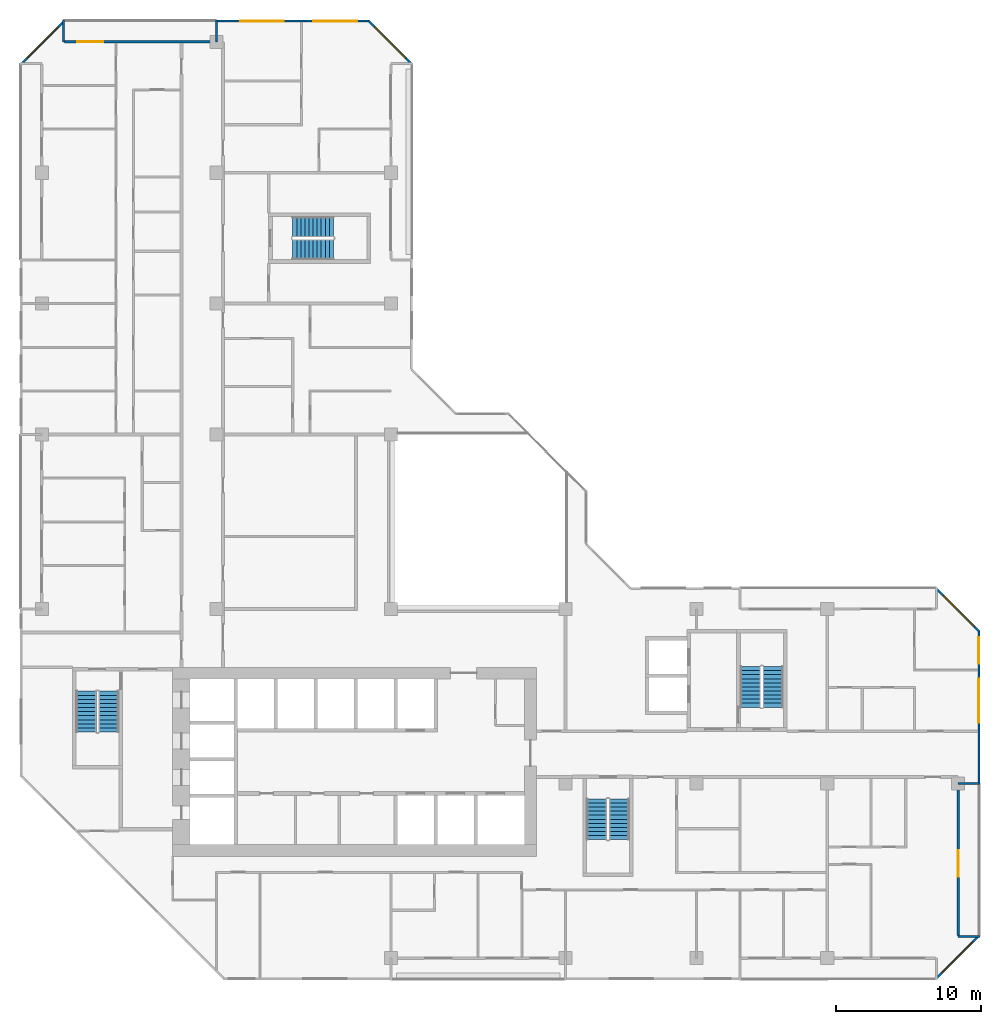
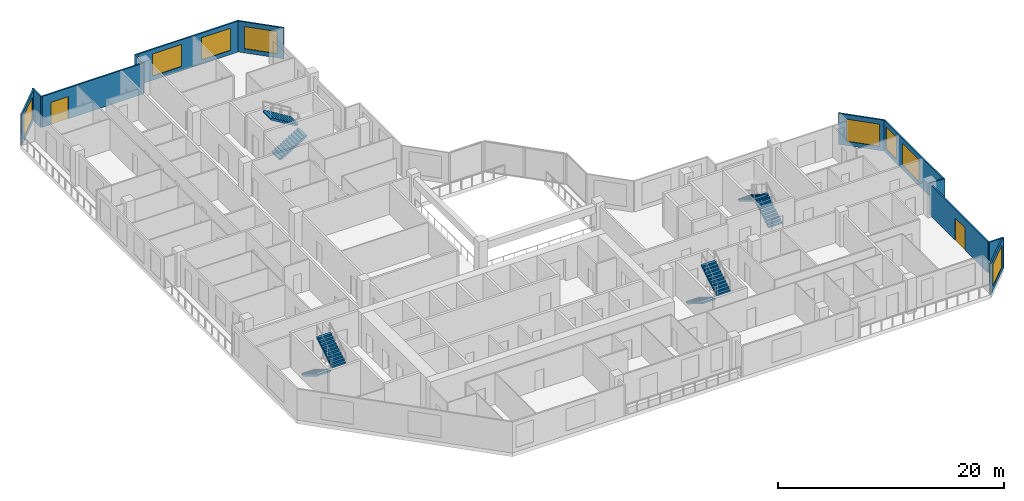
# One storey, part 12 of 14: 12 walls, 8 stair flights, 8 windows, 2 doors, 10 openings, 4 elements without a shape of their own.
"""IFC4 building model written with IfcOpenShell, lengths in metres."""

import ifcopenshell
import ifcopenshell.guid

model = None  # the IFC model being written
_history = None  # IfcOwnerHistory: only IFC2X3 demands one
_inside = {}  # id of a spatial element -> (the spatial element, [elements in it])
_under = {}  # id of a project, library or spatial element -> (it, [spatial elements below it])
_declared = {}  # id of a project -> (the project, [libraries it declares])
_typed = {}  # id of a type object -> (the type object, [elements of that type])
_made_of = {}  # id of a material, layer set ... -> (it, [elements and type objects made of it])


def new_model(schema):
    """Start an empty IFC model of exactly this schema.

    Asked for "IFC4X3", IfcOpenShell would pick the latest addendum, in which some entities
    have other attributes; the version numbers below select the first issue.
    IFC2X3 requires an IfcOwnerHistory on every rooted entity: one is made here for all.
    """
    global model, _history
    if schema == "IFC4X3":
        model = ifcopenshell.file(schema_version=(4, 3, 0, 0))
    else:
        model = ifcopenshell.file(schema=schema)
    _inside.clear()
    _under.clear()
    _declared.clear()
    _typed.clear()
    _made_of.clear()
    _history = None
    if model.schema == "IFC2X3":
        org = make("IfcOrganization", Name="unknown")
        user = make(
            "IfcPersonAndOrganization",
            ThePerson=make("IfcPerson", FamilyName="unknown"),
            TheOrganization=org,
        )
        app = make(
            "IfcApplication",
            ApplicationDeveloper=org,
            Version="unknown",
            ApplicationFullName="unknown",
            ApplicationIdentifier="unknown",
        )
        _history = make(
            "IfcOwnerHistory",
            OwningUser=user,
            OwningApplication=app,
            ChangeAction="ADDED",
            CreationDate=0,
        )
    return model


def make(cls, **values):
    """One entity of the class cls with the attributes given. An attribute that is None is left unset."""
    return model.create_entity(
        cls, **{name: value for name, value in values.items() if value is not None}
    )


def rooted(cls, **values):
    """An entity with a GlobalId (a new one), such as an element, a storey or a relation."""
    return make(cls, GlobalId=ifcopenshell.guid.new(), OwnerHistory=_history, **values)


def si_unit(unit_type, name, prefix=None):
    """IfcSIUnit, for example si_unit("LENGTHUNIT", "METRE", prefix="MILLI")."""
    return make("IfcSIUnit", UnitType=unit_type, Prefix=prefix, Name=name)


def assignment(units):
    """IfcUnitAssignment: the units of a project."""
    return None if units is None else make("IfcUnitAssignment", Units=units)


def point(xyz):
    """IfcCartesianPoint."""
    return None if xyz is None else make("IfcCartesianPoint", Coordinates=xyz)


def direction(xyz):
    """IfcDirection."""
    return None if xyz is None else make("IfcDirection", DirectionRatios=xyz)


def frame(location, z_axis=None, x_axis=None):
    """IfcAxis2Placement3D, a coordinate frame: its origin and axes. An axis left out is left unset."""
    return make(
        "IfcAxis2Placement3D",
        Location=point(location),
        Axis=direction(z_axis),
        RefDirection=direction(x_axis),
    )


def frame_2d(location, x_axis=None):
    """IfcAxis2Placement2D, a coordinate frame in the plane: its origin and x axis."""
    return make(
        "IfcAxis2Placement2D", Location=point(location), RefDirection=direction(x_axis)
    )


def origin():
    """The frame at (0, 0, 0) with its axes left unset."""
    return frame((0.0, 0.0, 0.0))


def place(relative_to, where):
    """IfcLocalPlacement: puts the frame where relative to a parent placement (None: the world)."""
    return make(
        "IfcLocalPlacement", PlacementRelTo=relative_to, RelativePlacement=where
    )


def context(
    kind, dimensions, precision=None, world=None, true_north=None, identifier=None
):
    """IfcGeometricRepresentationContext, for example the 3D "Model" context."""
    return make(
        "IfcGeometricRepresentationContext",
        ContextIdentifier=identifier,
        ContextType=kind,
        CoordinateSpaceDimension=dimensions,
        Precision=precision,
        WorldCoordinateSystem=world,
        TrueNorth=true_north,
    )


def subcontext(parent, identifier, kind, view, scale=None):
    """IfcGeometricRepresentationSubContext, for example "Body" below "Model"."""
    return make(
        "IfcGeometricRepresentationSubContext",
        ContextIdentifier=identifier,
        ContextType=kind,
        ParentContext=parent,
        TargetScale=scale,
        TargetView=view,
    )


def project(units=None, contexts=None):
    """IfcProject with its units and contexts."""
    return rooted(
        "IfcProject",
        Name="project",
        RepresentationContexts=contexts,
        UnitsInContext=assignment(units),
    )


def spatial(cls, under=None, at=None, **own):
    """A site, building, storey or space (cls), placed at a placement, below another one or the project."""
    s = rooted(cls, ObjectPlacement=at, **own)
    if under is not None:
        _under.setdefault(under.id(), (under, []))[1].append(s)
    return s


def polyline(points):
    """IfcPolyline through the points."""
    return make("IfcPolyline", Points=[point(p) for p in points])


def profile(cls, at=None, kind="AREA", **sizes):
    """A parametric profile (cls). Its sizes go by their IFC names, for example OverallWidth=200.0."""
    return make(cls, ProfileType=kind, Position=at, **sizes)


def rectangle(**sizes):
    """IfcRectangleProfileDef."""
    return profile("IfcRectangleProfileDef", **sizes)


def outline(outer, holes=None, kind="AREA"):
    """IfcArbitraryClosedProfileDef: a profile drawn as a closed curve; with holes, ...WithVoids."""
    if holes is None:
        return make("IfcArbitraryClosedProfileDef", ProfileType=kind, OuterCurve=outer)
    return make(
        "IfcArbitraryProfileDefWithVoids",
        ProfileType=kind,
        OuterCurve=outer,
        InnerCurves=holes,
    )


def extrude(swept, where, along, depth):
    """IfcExtrudedAreaSolid: the profile swept, set in the frame where, extruded along a direction by depth."""
    return make(
        "IfcExtrudedAreaSolid",
        SweptArea=swept,
        Position=where,
        ExtrudedDirection=direction(along),
        Depth=depth,
    )


def shape(context_of_items, identifier, shape_type, items):
    """IfcShapeRepresentation: the items that make up one representation, for example the "Body"."""
    return make(
        "IfcShapeRepresentation",
        ContextOfItems=context_of_items,
        RepresentationIdentifier=identifier,
        RepresentationType=shape_type,
        Items=items,
    )


def material(Name=None, Category=None):
    """IfcMaterial."""
    return make("IfcMaterial", Name=Name, Category=Category)


def layer(
    of_material, thickness, ventilated=None, Name=None, Category=None, Priority=None
):
    """IfcMaterialLayer: one layer of a wall or slab, of a material (None: an air gap)."""
    return make(
        "IfcMaterialLayer",
        Material=of_material,
        LayerThickness=thickness,
        IsVentilated=ventilated,
        Name=Name,
        Category=Category,
        Priority=Priority,
    )


def layer_set(layers, Name=None):
    """IfcMaterialLayerSet."""
    return make("IfcMaterialLayerSet", MaterialLayers=layers, LayerSetName=Name)


def made_of(thing, what):
    """Note that an element or type object is made of a material, layer set ...; save() writes the relation."""
    if what is not None:
        _made_of.setdefault(what.id(), (what, []))[1].append(thing)
    return thing


def type_object(cls, material=None, **own):
    """A type object (cls), such as IfcWallType, which elements share."""
    return made_of(rooted(cls, **own), material)


def element(
    cls,
    number,
    at=None,
    inside=None,
    cuts=None,
    type_object=None,
    material=None,
    context=None,
    identifier="Body",
    shape_type=None,
    held_by="IfcProductDefinitionShape",
    body=None,
    shapes=None,
    **own,
):
    """One element of the class cls, such as IfcWall. Its Tag is "e" and its number.

    at: its placement. inside: the storey or other place that contains it. cuts: it is an
    opening in that element (IfcRelVoidsElement). A single representation is given by context,
    identifier, shape_type and body (its items); several are given by shapes. held_by: the class
    of the entity that holds the representations. save() writes the other relations.
    """
    e = rooted(cls, Tag="e%d" % number, ObjectPlacement=at, **own)
    if body is not None:
        shapes = [shape(context, identifier, shape_type, body)]
    if shapes is not None:
        e.Representation = make(held_by, Representations=shapes)
    if inside is not None:
        _inside.setdefault(inside.id(), (inside, []))[1].append(e)
    if cuts is not None:
        rooted(
            "IfcRelVoidsElement", RelatingBuildingElement=cuts, RelatedOpeningElement=e
        )
    if type_object is not None:
        _typed.setdefault(type_object.id(), (type_object, []))[1].append(e)
    return made_of(e, material)


def fill(opening, filler):
    """IfcRelFillsElement: the door or window that sits in an opening."""
    return rooted(
        "IfcRelFillsElement",
        RelatingOpeningElement=opening,
        RelatedBuildingElement=filler,
    )


def aggregate(whole, parts):
    """IfcRelAggregates: a whole, such as a stair, and the parts it consists of."""
    return rooted("IfcRelAggregates", RelatingObject=whole, RelatedObjects=parts)


def save(model, path):
    """Write the relations noted so far, then the file.

    IfcRelAggregates (storeys below a building ...), IfcRelContainedInSpatialStructure (elements
    in a storey), IfcRelDefinesByType, IfcRelAssociatesMaterial and IfcRelDeclares: one each for
    every whole, place, type object, material and project.
    """
    for whole, parts in _under.values():
        aggregate(whole, parts)
    for where, things in _inside.values():
        rooted(
            "IfcRelContainedInSpatialStructure",
            RelatedElements=things,
            RelatingStructure=where,
        )
    for kind, things in _typed.values():
        rooted("IfcRelDefinesByType", RelatedObjects=things, RelatingType=kind)
    for what, things in _made_of.values():
        rooted("IfcRelAssociatesMaterial", RelatedObjects=things, RelatingMaterial=what)
    for by, libraries in _declared.values():
        rooted("IfcRelDeclares", RelatingContext=by, RelatedDefinitions=libraries)
    model.write(path)


model = new_model("IFC4")

# Units and contexts
model_context = context("Model", 3, precision=1e-05, world=origin(), true_north=direction((0.0, 1.0)))
body_context = subcontext(model_context, "Body", "Model", "MODEL_VIEW")
ifc_project = project(units=[si_unit("LENGTHUNIT", "METRE"), si_unit("AREAUNIT", "SQUARE_METRE"), si_unit("VOLUMEUNIT", "CUBIC_METRE"), si_unit("PLANEANGLEUNIT", "RADIAN"), si_unit("MASSUNIT", "GRAM", prefix="KILO")], contexts=[model_context])

# Site, building, storey
site_placement = place(None, origin())
site = spatial("IfcSite", under=ifc_project, at=site_placement, CompositionType="ELEMENT")
building_placement = place(site_placement, origin())
building = spatial("IfcBuilding", under=site, at=building_placement, Name="Chenar Terraces", CompositionType="ELEMENT")
storey_placement = place(building_placement, frame((0.0, 0.0, 161.14990234375)))
storey = spatial("IfcBuildingStorey", under=building, at=storey_placement, Name="L36", CompositionType="ELEMENT", Elevation=161.14990234375)

# Wall, openings, windows
ifc_material_1 = material(Name="Aluminium framed glazing", Category="aluminium")
ifc_layer_1 = layer(ifc_material_1, 0.14990234375)
ifc_layer_set_1 = layer_set([ifc_layer_1], Name="Aluminium framed glazing")
wall_type_1 = type_object("IfcWallType", Name="Glazed flush facade wall 150", PredefinedType="SOLIDWALL", material=ifc_layer_set_1)
wall_1_placement = place(storey_placement, frame((22.5, 64.425048828125, 0.0), z_axis=(0.0, 0.0, 1.0), x_axis=(-1.0, 0.0, 0.0)))
wall_1 = element("IfcWall", 1, at=wall_1_placement, inside=storey, type_object=wall_type_1, Name="Glazed flush facade wall", PredefinedType="SOLIDWALL", context=body_context, shape_type="SweptSolid", body=[
    extrude(rectangle(XDim=10.425048828125, YDim=0.14990234375, at=frame_2d((5.21240234375, 0.0))), origin(), (0.0, 0.0, 1.0), 3.35009765625),
])
opening_1_placement = place(wall_1_placement, frame((0.824951171875, 0.0, 0.449951171875)))
opening_1 = element("IfcOpeningElement", 2, at=opening_1_placement, cuts=wall_1, Name="Opening W300x240", PredefinedType="OPENING", context=body_context, shape_type="SweptSolid", body=[
    extrude(rectangle(XDim=3.0, YDim=2.39990234375, at=frame_2d((1.5, 1.199951171875))), frame((0.0, 0.0849609375, 0.0), z_axis=(0.0, -1.0, 0.0), x_axis=(1.0, 0.0, 0.0)), (0.0, 0.0, 1.0), 0.169921875),
])
opening_2_placement = place(wall_1_placement, frame((5.85009765625, 0.0, 0.449951171875)))
opening_2 = element("IfcOpeningElement", 3, at=opening_2_placement, cuts=wall_1, Name="Opening W300x240", PredefinedType="OPENING", context=body_context, shape_type="SweptSolid", body=[
    extrude(rectangle(XDim=3.0, YDim=2.39990234375, at=frame_2d((1.5, 1.199951171875))), frame((0.0, 0.0849609375, 0.0), z_axis=(0.0, -1.0, 0.0), x_axis=(1.0, 0.0, 0.0)), (0.0, 0.0, 1.0), 0.169921875),
])
ifc_material_2 = material(Name="Low emissivity double glazing, aluminium frame", Category="aluminium")
window_type_1 = type_object("IfcWindowType", Name="Fixed light 3000 x 2400", PartitioningType="SINGLE_PANEL", PredefinedType="WINDOW", material=ifc_material_2)
window_1_placement = place(opening_1_placement, origin())
window_1 = element("IfcWindow", 4, at=window_1_placement, inside=storey, type_object=window_type_1, Name="Window", OverallHeight=2.39990234375, OverallWidth=3.0, PartitioningType="SINGLE_PANEL", PredefinedType="WINDOW", context=body_context, shape_type="SweptSolid", body=[
    extrude(rectangle(XDim=3.0, YDim=2.39990234375, at=frame_2d((1.5, 1.199951171875))), frame((0.0, 0.030029296875, 0.0), z_axis=(0.0, -1.0, 0.0), x_axis=(1.0, 0.0, 0.0)), (0.0, 0.0, 1.0), 0.06005859375),
])
fill(opening_1, window_1)
window_2_placement = place(opening_2_placement, origin())
window_2 = element("IfcWindow", 5, at=window_2_placement, inside=storey, type_object=window_type_1, Name="Window", OverallHeight=2.39990234375, OverallWidth=3.0, PartitioningType="SINGLE_PANEL", PredefinedType="WINDOW", context=body_context, shape_type="SweptSolid", body=[
    extrude(rectangle(XDim=3.0, YDim=2.39990234375, at=frame_2d((1.5, 1.199951171875))), frame((0.0, 0.030029296875, 0.0), z_axis=(0.0, -1.0, 0.0), x_axis=(1.0, 0.0, 0.0)), (0.0, 0.0, 1.0), 0.06005859375),
])
fill(opening_2, window_2)

wall_2_placement = place(storey_placement, frame((64.425048828125, 12.074951171875, 0.0), z_axis=(0.0, 0.0, 1.0), x_axis=(0.0, 1.0, 0.0)))
wall_2 = element("IfcWall", 6, at=wall_2_placement, inside=storey, type_object=wall_type_1, Name="Glazed flush facade wall", PredefinedType="SOLIDWALL", context=body_context, shape_type="SweptSolid", body=[
    extrude(rectangle(XDim=10.425048828125, YDim=0.14990234375, at=frame_2d((5.21240234375, 0.0))), origin(), (0.0, 0.0, 1.0), 3.35009765625),
])
opening_3_placement = place(wall_2_placement, frame((4.125, 0.0, 0.449951171875)))
opening_3 = element("IfcOpeningElement", 7, at=opening_3_placement, cuts=wall_2, Name="Opening W300x240", PredefinedType="OPENING", context=body_context, shape_type="SweptSolid", body=[
    extrude(rectangle(XDim=3.0, YDim=2.39990234375, at=frame_2d((1.5, 1.199951171875))), frame((0.0, 0.0849609375, 0.0), z_axis=(0.0, -1.0, 0.0), x_axis=(1.0, 0.0, 0.0)), (0.0, 0.0, 1.0), 0.169921875),
])
opening_4_placement = place(wall_2_placement, frame((8.175048828125, 0.0, 0.449951171875)))
opening_4 = element("IfcOpeningElement", 8, at=opening_4_placement, cuts=wall_2, Name="Opening W180x240", PredefinedType="OPENING", context=body_context, shape_type="SweptSolid", body=[
    extrude(rectangle(XDim=1.800048828125, YDim=2.39990234375, at=frame_2d((0.89990234375, 1.199951171875))), frame((0.0, 0.0849609375, 0.0), z_axis=(0.0, -1.0, 0.0), x_axis=(1.0, 0.0, 0.0)), (0.0, 0.0, 1.0), 0.169921875),
])
ifc_material_3 = material(Name="Low emissivity double glazing, aluminium frame", Category="aluminium")
window_type_2 = type_object("IfcWindowType", Name="Fixed light 1800 x 2400", PartitioningType="SINGLE_PANEL", PredefinedType="WINDOW", material=ifc_material_3)
window_3_placement = place(opening_4_placement, origin())
window_3 = element("IfcWindow", 9, at=window_3_placement, inside=storey, type_object=window_type_2, Name="Window", OverallHeight=2.39990234375, OverallWidth=1.800048828125, PartitioningType="SINGLE_PANEL", PredefinedType="WINDOW", context=body_context, shape_type="SweptSolid", body=[
    extrude(rectangle(XDim=1.800048828125, YDim=2.39990234375, at=frame_2d((0.89990234375, 1.199951171875))), frame((0.0, 0.030029296875, 0.0), z_axis=(0.0, -1.0, 0.0), x_axis=(1.0, 0.0, 0.0)), (0.0, 0.0, 1.0), 0.06005859375),
])
fill(opening_4, window_3)
window_4_placement = place(opening_3_placement, origin())
window_4 = element("IfcWindow", 10, at=window_4_placement, inside=storey, type_object=window_type_1, Name="Window", OverallHeight=2.39990234375, OverallWidth=3.0, PartitioningType="SINGLE_PANEL", PredefinedType="WINDOW", context=body_context, shape_type="SweptSolid", body=[
    extrude(rectangle(XDim=3.0, YDim=2.39990234375, at=frame_2d((1.5, 1.199951171875))), frame((0.0, 0.030029296875, 0.0), z_axis=(0.0, -1.0, 0.0), x_axis=(1.0, 0.0, 0.0)), (0.0, 0.0, 1.0), 0.06005859375),
])
fill(opening_3, window_4)

# Wall, opening, door
ifc_material_4 = material(Name="Aluminium framed glazing", Category="aluminium")
ifc_layer_2 = layer(ifc_material_4, 0.14990234375)
ifc_layer_set_2 = layer_set([ifc_layer_2], Name="Aluminium framed glazing")
wall_type_2 = type_object("IfcWallType", Name="Glazed loggia back wall 150", PredefinedType="SOLIDWALL", material=ifc_layer_set_2)
wall_3_placement = place(storey_placement, frame((11.925048828125, 63.0, 0.0), z_axis=(0.0, 0.0, 1.0), x_axis=(-1.0, 0.0, 0.0)))
wall_3 = element("IfcWall", 11, at=wall_3_placement, inside=storey, type_object=wall_type_2, Name="Glazed loggia back wall", PredefinedType="SOLIDWALL", context=body_context, shape_type="SweptSolid", body=[
    extrude(rectangle(XDim=10.35009765625, YDim=0.14990234375, at=frame_2d((5.175048828125, 0.0))), origin(), (0.0, 0.0, 1.0), 3.35009765625),
])
opening_5_placement = place(wall_3_placement, frame((7.6875, 0.0, 0.0)))
opening_5 = element("IfcOpeningElement", 12, at=opening_5_placement, cuts=wall_3, Name="Opening DL36-G3", PredefinedType="OPENING", context=body_context, shape_type="SweptSolid", body=[
    extrude(rectangle(XDim=1.800048828125, YDim=2.39990234375, at=frame_2d((0.89990234375, 1.199951171875))), frame((0.0, 0.0849609375, 0.0), z_axis=(0.0, -1.0, 0.0), x_axis=(1.0, 0.0, 0.0)), (0.0, 0.0, 1.0), 0.169921875),
])
ifc_material_5 = material(Name="Low emissivity double glazing, aluminium frame", Category="aluminium")
door_type = type_object("IfcDoorType", Name="Loggia glazed double door 1800 x 2400", OperationType="DOUBLE_DOOR_SINGLE_SWING", PredefinedType="DOOR", material=ifc_material_5)
door_1_placement = place(opening_5_placement, frame((1.800048828125, 0.0, 0.0), z_axis=(0.0, 0.0, 1.0), x_axis=(-1.0, 0.0, 0.0)))
door_1 = element("IfcDoor", 13, at=door_1_placement, inside=storey, type_object=door_type, Name="Loggia glazed door", OperationType="DOUBLE_DOOR_SINGLE_SWING", OverallHeight=2.39990234375, OverallWidth=1.800048828125, PredefinedType="DOOR", context=body_context, shape_type="SweptSolid", body=[
    extrude(rectangle(XDim=1.800048828125, YDim=2.39990234375, at=frame_2d((0.89990234375, 1.199951171875))), frame((0.0, 0.02490234375, 0.0), z_axis=(0.0, -1.0, 0.0), x_axis=(1.0, 0.0, 0.0)), (0.0, 0.0, 1.0), 0.050048828125),
])
fill(opening_5, door_1)

wall_4_placement = place(storey_placement, frame((63.0, 1.574951171875, 0.0), z_axis=(0.0, 0.0, 1.0), x_axis=(0.0, 1.0, 0.0)))
wall_4 = element("IfcWall", 14, at=wall_4_placement, inside=storey, type_object=wall_type_2, Name="Glazed loggia back wall", PredefinedType="SOLIDWALL", context=body_context, shape_type="SweptSolid", body=[
    extrude(rectangle(XDim=10.35009765625, YDim=0.14990234375, at=frame_2d((5.175048828125, 0.0))), origin(), (0.0, 0.0, 1.0), 3.35009765625),
])
opening_6_placement = place(wall_4_placement, frame((4.03759765625, 0.0, 0.0)))
opening_6 = element("IfcOpeningElement", 15, at=opening_6_placement, cuts=wall_4, Name="Opening DL36-G8", PredefinedType="OPENING", context=body_context, shape_type="SweptSolid", body=[
    extrude(rectangle(XDim=1.800048828125, YDim=2.39990234375, at=frame_2d((0.89990234375, 1.199951171875))), frame((0.0, 0.0849609375, 0.0), z_axis=(0.0, -1.0, 0.0), x_axis=(1.0, 0.0, 0.0)), (0.0, 0.0, 1.0), 0.169921875),
])
door_2_placement = place(opening_6_placement, frame((1.800048828125, 0.0, 0.0), z_axis=(0.0, 0.0, 1.0), x_axis=(-1.0, 0.0, 0.0)))
door_2 = element("IfcDoor", 16, at=door_2_placement, inside=storey, type_object=door_type, Name="Loggia glazed door", OperationType="DOUBLE_DOOR_SINGLE_SWING", OverallHeight=2.39990234375, OverallWidth=1.800048828125, PredefinedType="DOOR", context=body_context, shape_type="SweptSolid", body=[
    extrude(rectangle(XDim=1.800048828125, YDim=2.39990234375, at=frame_2d((0.89990234375, 1.199951171875))), frame((0.0, 0.02490234375, 0.0), z_axis=(0.0, -1.0, 0.0), x_axis=(1.0, 0.0, 0.0)), (0.0, 0.0, 1.0), 0.050048828125),
])
fill(opening_6, door_2)

# Walls
ifc_material_6 = material(Name="Terracotta cladding on insulated backing", Category="masonry")
ifc_layer_3 = layer(ifc_material_6, 0.14990234375)
ifc_layer_set_3 = layer_set([ifc_layer_3], Name="Terracotta cladding on insulated backing")
wall_type_3 = type_object("IfcWallType", Name="Loggia return wall 150", PredefinedType="SOLIDWALL", material=ifc_layer_set_3)
for number, where, z_axis, x_axis, name in (
    (17, (12.0, 64.5, 0.0), (0.0, 0.0, 1.0), (0.0, -1.0, 0.0), "Loggia return wall"),
    (18, (1.5, 64.5, 0.0), (0.0, 0.0, 1.0), (0.0, -1.0, 0.0), "Loggia return wall"),
    (19, (64.5, 1.5, 0.0), (0.0, 0.0, 1.0), (-1.0, 0.0, 0.0), "Loggia return wall"),
    (20, (64.5, 12.0, 0.0), (0.0, 0.0, 1.0), (-1.0, 0.0, 0.0), "Loggia return wall"),
):
    element("IfcWall", number, at=place(storey_placement, frame(where, z_axis=z_axis, x_axis=x_axis)), inside=storey, type_object=wall_type_3, Name=name, PredefinedType="SOLIDWALL", context=body_context, shape_type="SweptSolid", body=[
        extrude(rectangle(XDim=1.5, YDim=0.14990234375, at=frame_2d((0.75, 0.0))), origin(), (0.0, 0.0, 1.0), 3.35009765625),
    ])

# Wall, opening, window
ifc_material_7 = material(Name="Terracotta cladding on insulated backing", Category="masonry")
ifc_layer_4 = layer(ifc_material_7, 0.14990234375)
ifc_layer_set_4 = layer_set([ifc_layer_4], Name="Terracotta cladding on insulated backing")
wall_type_4 = type_object("IfcWallType", Name="Terracotta rainscreen wall 150", PredefinedType="SOLIDWALL", material=ifc_layer_set_4)
wall_5_placement = place(storey_placement, frame((25.447021484375, 61.447021484375, 0.0), z_axis=(0.0, 0.0, 1.0), x_axis=(-0.707106781187, 0.707106781187, 0.0)))
wall_5 = element("IfcWall", 21, at=wall_5_placement, inside=storey, type_object=wall_type_4, Name="Terracotta rainscreen wall", PredefinedType="SOLIDWALL", context=body_context, shape_type="SweptSolid", body=[
    extrude(rectangle(XDim=4.24267578125, YDim=0.14990234375, at=frame_2d((2.121337890625, 0.0))), origin(), (0.0, 0.0, 1.0), 3.35009765625),
])
opening_7_placement = place(wall_5_placement, frame((0.621337890625, 0.0, 0.449951171875)))
opening_7 = element("IfcOpeningElement", 22, at=opening_7_placement, cuts=wall_5, Name="Opening W300x240", PredefinedType="OPENING", context=body_context, shape_type="SweptSolid", body=[
    extrude(rectangle(XDim=3.0, YDim=2.39990234375, at=frame_2d((1.5, 1.199951171875))), frame((0.0, 0.0849609375, 0.0), z_axis=(0.0, -1.0, 0.0), x_axis=(1.0, 0.0, 0.0)), (0.0, 0.0, 1.0), 0.169921875),
])
window_5_placement = place(opening_7_placement, origin())
window_5 = element("IfcWindow", 23, at=window_5_placement, inside=storey, type_object=window_type_1, Name="Window", OverallHeight=2.39990234375, OverallWidth=3.0, PartitioningType="SINGLE_PANEL", PredefinedType="WINDOW", context=body_context, shape_type="SweptSolid", body=[
    extrude(rectangle(XDim=3.0, YDim=2.39990234375, at=frame_2d((1.5, 1.199951171875))), frame((0.0, 0.030029296875, 0.0), z_axis=(0.0, -1.0, 0.0), x_axis=(1.0, 0.0, 0.0)), (0.0, 0.0, 1.0), 0.06005859375),
])
fill(opening_7, window_5)

wall_6_placement = place(storey_placement, frame((1.552978515625, 64.447021484375, 0.0), z_axis=(0.0, 0.0, 1.0), x_axis=(-0.707106781187, -0.707106781187, 0.0)))
wall_6 = element("IfcWall", 24, at=wall_6_placement, inside=storey, type_object=wall_type_4, Name="Terracotta rainscreen wall", PredefinedType="SOLIDWALL", context=body_context, shape_type="SweptSolid", body=[
    extrude(rectangle(XDim=4.24267578125, YDim=0.14990234375, at=frame_2d((2.121337890625, 0.0))), origin(), (0.0, 0.0, 1.0), 3.35009765625),
])
opening_8_placement = place(wall_6_placement, frame((0.621337890625, 0.0, 0.449951171875)))
opening_8 = element("IfcOpeningElement", 25, at=opening_8_placement, cuts=wall_6, Name="Opening W300x240", PredefinedType="OPENING", context=body_context, shape_type="SweptSolid", body=[
    extrude(rectangle(XDim=3.0, YDim=2.39990234375, at=frame_2d((1.5, 1.199951171875))), frame((0.0, 0.0849609375, 0.0), z_axis=(0.0, -1.0, 0.0), x_axis=(1.0, 0.0, 0.0)), (0.0, 0.0, 1.0), 0.169921875),
])
window_6_placement = place(opening_8_placement, origin())
window_6 = element("IfcWindow", 26, at=window_6_placement, inside=storey, type_object=window_type_1, Name="Window", OverallHeight=2.39990234375, OverallWidth=3.0, PartitioningType="SINGLE_PANEL", PredefinedType="WINDOW", context=body_context, shape_type="SweptSolid", body=[
    extrude(rectangle(XDim=3.0, YDim=2.39990234375, at=frame_2d((1.5, 1.199951171875))), frame((0.0, 0.030029296875, 0.0), z_axis=(0.0, -1.0, 0.0), x_axis=(1.0, 0.0, 0.0)), (0.0, 0.0, 1.0), 0.06005859375),
])
fill(opening_8, window_6)

wall_7_placement = place(storey_placement, frame((61.447021484375, -1.447021484375, 0.0), z_axis=(0.0, 0.0, 1.0), x_axis=(0.707106781187, 0.707106781187, 0.0)))
wall_7 = element("IfcWall", 27, at=wall_7_placement, inside=storey, type_object=wall_type_4, Name="Terracotta rainscreen wall", PredefinedType="SOLIDWALL", context=body_context, shape_type="SweptSolid", body=[
    extrude(rectangle(XDim=4.24267578125, YDim=0.14990234375, at=frame_2d((2.121337890625, 0.0))), origin(), (0.0, 0.0, 1.0), 3.35009765625),
])
opening_9_placement = place(wall_7_placement, frame((0.621337890625, 0.0, 0.449951171875)))
opening_9 = element("IfcOpeningElement", 28, at=opening_9_placement, cuts=wall_7, Name="Opening W300x240", PredefinedType="OPENING", context=body_context, shape_type="SweptSolid", body=[
    extrude(rectangle(XDim=3.0, YDim=2.39990234375, at=frame_2d((1.5, 1.199951171875))), frame((0.0, 0.0849609375, 0.0), z_axis=(0.0, -1.0, 0.0), x_axis=(1.0, 0.0, 0.0)), (0.0, 0.0, 1.0), 0.169921875),
])
window_7_placement = place(opening_9_placement, origin())
window_7 = element("IfcWindow", 29, at=window_7_placement, inside=storey, type_object=window_type_1, Name="Window", OverallHeight=2.39990234375, OverallWidth=3.0, PartitioningType="SINGLE_PANEL", PredefinedType="WINDOW", context=body_context, shape_type="SweptSolid", body=[
    extrude(rectangle(XDim=3.0, YDim=2.39990234375, at=frame_2d((1.5, 1.199951171875))), frame((0.0, 0.030029296875, 0.0), z_axis=(0.0, -1.0, 0.0), x_axis=(1.0, 0.0, 0.0)), (0.0, 0.0, 1.0), 0.06005859375),
])
fill(opening_9, window_7)

wall_8_placement = place(storey_placement, frame((64.447021484375, 22.447021484375, 0.0), z_axis=(0.0, 0.0, 1.0), x_axis=(-0.707106781187, 0.707106781187, 0.0)))
wall_8 = element("IfcWall", 30, at=wall_8_placement, inside=storey, type_object=wall_type_4, Name="Terracotta rainscreen wall", PredefinedType="SOLIDWALL", context=body_context, shape_type="SweptSolid", body=[
    extrude(rectangle(XDim=4.24267578125, YDim=0.14990234375, at=frame_2d((2.121337890625, 0.0))), origin(), (0.0, 0.0, 1.0), 3.35009765625),
])
opening_10_placement = place(wall_8_placement, frame((0.498046875, 0.0, 0.449951171875)))
opening_10 = element("IfcOpeningElement", 31, at=opening_10_placement, cuts=wall_8, Name="Opening W300x240", PredefinedType="OPENING", context=body_context, shape_type="SweptSolid", body=[
    extrude(rectangle(XDim=3.0, YDim=2.39990234375, at=frame_2d((1.5, 1.199951171875))), frame((0.0, 0.0849609375, 0.0), z_axis=(0.0, -1.0, 0.0), x_axis=(1.0, 0.0, 0.0)), (0.0, 0.0, 1.0), 0.169921875),
])
window_8_placement = place(opening_10_placement, origin())
window_8 = element("IfcWindow", 32, at=window_8_placement, inside=storey, type_object=window_type_1, Name="Window", OverallHeight=2.39990234375, OverallWidth=3.0, PartitioningType="SINGLE_PANEL", PredefinedType="WINDOW", context=body_context, shape_type="SweptSolid", body=[
    extrude(rectangle(XDim=3.0, YDim=2.39990234375, at=frame_2d((1.5, 1.199951171875))), frame((0.0, 0.030029296875, 0.0), z_axis=(0.0, -1.0, 0.0), x_axis=(1.0, 0.0, 0.0)), (0.0, 0.0, 1.0), 0.06005859375),
])
fill(opening_10, window_8)

# Stair, stair flights
ifc_material_8 = material(Name="Reinforced concrete C40/50", Category="concrete")
stair_type = type_object("IfcStairType", Name="Core stair 1400 half-turn", PredefinedType="HALF_TURN_STAIR", material=ifc_material_8)
placement = place(storey_placement, origin())
stair_1 = element("IfcStair", 33, at=placement, inside=storey, type_object=stair_type, Name="L36 Stair 1", PredefinedType="HALF_TURN_STAIR")
ifc_material_9 = material(Name="Reinforced concrete C40/50", Category="concrete")
stair_flight_type = type_object("IfcStairFlightType", Name="Core stair flight 1400", PredefinedType="STRAIGHT", material=ifc_material_9)
stair_flight_1_placement = place(storey_placement, frame((3.050048828125, 18.35009765625, 0.0), z_axis=(0.0, 0.0, 1.0), x_axis=(0.0, -1.0, 0.0)))
stair_flight_1 = element("IfcStairFlight", 34, at=stair_flight_1_placement, type_object=stair_flight_type, Name="ST1 flight 1", NumberOfRisers=11, NumberOfTreads=10, PredefinedType="STRAIGHT", RiserHeight=0.170454545, TreadLength=0.28, context=body_context, shape_type="SweptSolid", body=[
    extrude(outline(polyline([(-0.0029296875, 0.0), (-0.0029296875, 0.17041015625), (0.0, 0.17041015625), (0.280029296875, 0.17041015625), (0.280029296875, 0.3408203125), (0.56005859375, 0.3408203125), (0.56005859375, 0.511474609375), (0.840087890625, 0.511474609375), (0.840087890625, 0.681884765625), (1.1201171875, 0.681884765625), (1.1201171875, 0.852294921875), (1.39990234375, 0.852294921875), (1.39990234375, 1.022705078125), (1.679931640625, 1.022705078125), (1.679931640625, 1.193115234375), (1.9599609375, 1.193115234375), (1.9599609375, 1.363525390625), (2.239990234375, 1.363525390625), (2.239990234375, 1.5341796875), (2.52001953125, 1.5341796875), (2.52001953125, 1.70458984375), (2.800048828125, 1.70458984375), (2.802978515625, 1.70458984375), (2.802978515625, 1.529052734375), (2.800048828125, 1.529052734375), (0.288330078125, 0.0), (-0.0029296875, 0.0)])), frame((0.0, 0.699951171875, 0.0), z_axis=(0.0, -1.0, 0.0), x_axis=(1.0, 0.0, 0.0)), (0.0, 0.0, 1.0), 1.39990234375),
])
stair_flight_2_placement = place(storey_placement, frame((4.60009765625, 15.550048828125, 1.875), z_axis=(0.0, 0.0, 1.0), x_axis=(0.0, 1.0, 0.0)))
stair_flight_2 = element("IfcStairFlight", 35, at=stair_flight_2_placement, type_object=stair_flight_type, Name="ST1 flight 2", NumberOfRisers=11, NumberOfTreads=10, PredefinedType="STRAIGHT", RiserHeight=0.170454545, TreadLength=0.28, context=body_context, shape_type="SweptSolid", body=[
    extrude(outline(polyline([(-0.0029296875, 0.0), (-0.0029296875, 0.17041015625), (0.0, 0.17041015625), (0.280029296875, 0.17041015625), (0.280029296875, 0.3408203125), (0.56005859375, 0.3408203125), (0.56005859375, 0.511474609375), (0.840087890625, 0.511474609375), (0.840087890625, 0.681884765625), (1.1201171875, 0.681884765625), (1.1201171875, 0.852294921875), (1.39990234375, 0.852294921875), (1.39990234375, 1.022705078125), (1.679931640625, 1.022705078125), (1.679931640625, 1.193115234375), (1.9599609375, 1.193115234375), (1.9599609375, 1.363525390625), (2.239990234375, 1.363525390625), (2.239990234375, 1.5341796875), (2.52001953125, 1.5341796875), (2.52001953125, 1.70458984375), (2.800048828125, 1.70458984375), (2.802978515625, 1.70458984375), (2.802978515625, 1.529052734375), (2.800048828125, 1.529052734375), (0.288330078125, 0.0), (-0.0029296875, 0.0)])), frame((0.0, 0.699951171875, 0.0), z_axis=(0.0, -1.0, 0.0), x_axis=(1.0, 0.0, 0.0)), (0.0, 0.0, 1.0), 1.39990234375),
])
aggregate(stair_1, [stair_flight_1, stair_flight_2])

stair_2 = element("IfcStair", 36, at=placement, inside=storey, type_object=stair_type, Name="L36 Stair 2", PredefinedType="HALF_TURN_STAIR")
stair_flight_3_placement = place(storey_placement, frame((38.14990234375, 10.949951171875, 0.0), z_axis=(0.0, 0.0, 1.0), x_axis=(0.0, -1.0, 0.0)))
stair_flight_3 = element("IfcStairFlight", 37, at=stair_flight_3_placement, type_object=stair_flight_type, Name="ST2 flight 1", NumberOfRisers=11, NumberOfTreads=10, PredefinedType="STRAIGHT", RiserHeight=0.170454545, TreadLength=0.28, context=body_context, shape_type="SweptSolid", body=[
    extrude(outline(polyline([(-0.0029296875, 0.0), (-0.0029296875, 0.17041015625), (0.0, 0.17041015625), (0.280029296875, 0.17041015625), (0.280029296875, 0.3408203125), (0.56005859375, 0.3408203125), (0.56005859375, 0.511474609375), (0.840087890625, 0.511474609375), (0.840087890625, 0.681884765625), (1.1201171875, 0.681884765625), (1.1201171875, 0.852294921875), (1.39990234375, 0.852294921875), (1.39990234375, 1.022705078125), (1.679931640625, 1.022705078125), (1.679931640625, 1.193115234375), (1.9599609375, 1.193115234375), (1.9599609375, 1.363525390625), (2.239990234375, 1.363525390625), (2.239990234375, 1.5341796875), (2.52001953125, 1.5341796875), (2.52001953125, 1.70458984375), (2.800048828125, 1.70458984375), (2.802978515625, 1.70458984375), (2.802978515625, 1.529052734375), (2.800048828125, 1.529052734375), (0.288330078125, 0.0), (-0.0029296875, 0.0)])), frame((0.0, 0.699951171875, 0.0), z_axis=(0.0, -1.0, 0.0), x_axis=(1.0, 0.0, 0.0)), (0.0, 0.0, 1.0), 1.39990234375),
])
stair_flight_4_placement = place(storey_placement, frame((39.699951171875, 8.14990234375, 1.875), z_axis=(0.0, 0.0, 1.0), x_axis=(0.0, 1.0, 0.0)))
stair_flight_4 = element("IfcStairFlight", 38, at=stair_flight_4_placement, type_object=stair_flight_type, Name="ST2 flight 2", NumberOfRisers=11, NumberOfTreads=10, PredefinedType="STRAIGHT", RiserHeight=0.170454545, TreadLength=0.28, context=body_context, shape_type="SweptSolid", body=[
    extrude(outline(polyline([(-0.0029296875, 0.0), (-0.0029296875, 0.17041015625), (0.0, 0.17041015625), (0.280029296875, 0.17041015625), (0.280029296875, 0.3408203125), (0.56005859375, 0.3408203125), (0.56005859375, 0.511474609375), (0.840087890625, 0.511474609375), (0.840087890625, 0.681884765625), (1.1201171875, 0.681884765625), (1.1201171875, 0.852294921875), (1.39990234375, 0.852294921875), (1.39990234375, 1.022705078125), (1.679931640625, 1.022705078125), (1.679931640625, 1.193115234375), (1.9599609375, 1.193115234375), (1.9599609375, 1.363525390625), (2.239990234375, 1.363525390625), (2.239990234375, 1.5341796875), (2.52001953125, 1.5341796875), (2.52001953125, 1.70458984375), (2.800048828125, 1.70458984375), (2.802978515625, 1.70458984375), (2.802978515625, 1.529052734375), (2.800048828125, 1.529052734375), (0.288330078125, 0.0), (-0.0029296875, 0.0)])), frame((0.0, 0.699951171875, 0.0), z_axis=(0.0, -1.0, 0.0), x_axis=(1.0, 0.0, 0.0)), (0.0, 0.0, 1.0), 1.39990234375),
])
aggregate(stair_2, [stair_flight_3, stair_flight_4])

stair_3 = element("IfcStair", 39, at=placement, inside=storey, type_object=stair_type, Name="L36 Stair 3", PredefinedType="HALF_TURN_STAIR")
stair_flight_5_placement = place(storey_placement, frame((50.27490234375, 17.25, 0.0), z_axis=(0.0, 0.0, 1.0), x_axis=(0.0, 1.0, 0.0)))
stair_flight_5 = element("IfcStairFlight", 40, at=stair_flight_5_placement, type_object=stair_flight_type, Name="ST3 flight 1", NumberOfRisers=11, NumberOfTreads=10, PredefinedType="STRAIGHT", RiserHeight=0.170454545, TreadLength=0.28, context=body_context, shape_type="SweptSolid", body=[
    extrude(outline(polyline([(-0.0029296875, 0.0), (-0.0029296875, 0.17041015625), (0.0, 0.17041015625), (0.280029296875, 0.17041015625), (0.280029296875, 0.3408203125), (0.56005859375, 0.3408203125), (0.56005859375, 0.511474609375), (0.840087890625, 0.511474609375), (0.840087890625, 0.681884765625), (1.1201171875, 0.681884765625), (1.1201171875, 0.852294921875), (1.39990234375, 0.852294921875), (1.39990234375, 1.022705078125), (1.679931640625, 1.022705078125), (1.679931640625, 1.193115234375), (1.9599609375, 1.193115234375), (1.9599609375, 1.363525390625), (2.239990234375, 1.363525390625), (2.239990234375, 1.5341796875), (2.52001953125, 1.5341796875), (2.52001953125, 1.70458984375), (2.800048828125, 1.70458984375), (2.802978515625, 1.70458984375), (2.802978515625, 1.529052734375), (2.800048828125, 1.529052734375), (0.288330078125, 0.0), (-0.0029296875, 0.0)])), frame((0.0, 0.699951171875, 0.0), z_axis=(0.0, -1.0, 0.0), x_axis=(1.0, 0.0, 0.0)), (0.0, 0.0, 1.0), 1.39990234375),
])
stair_flight_6_placement = place(storey_placement, frame((48.72509765625, 20.050048828125, 1.875), z_axis=(0.0, 0.0, 1.0), x_axis=(0.0, -1.0, 0.0)))
stair_flight_6 = element("IfcStairFlight", 41, at=stair_flight_6_placement, type_object=stair_flight_type, Name="ST3 flight 2", NumberOfRisers=11, NumberOfTreads=10, PredefinedType="STRAIGHT", RiserHeight=0.170454545, TreadLength=0.28, context=body_context, shape_type="SweptSolid", body=[
    extrude(outline(polyline([(-0.0029296875, 0.0), (-0.0029296875, 0.17041015625), (0.0, 0.17041015625), (0.280029296875, 0.17041015625), (0.280029296875, 0.3408203125), (0.56005859375, 0.3408203125), (0.56005859375, 0.511474609375), (0.840087890625, 0.511474609375), (0.840087890625, 0.681884765625), (1.1201171875, 0.681884765625), (1.1201171875, 0.852294921875), (1.39990234375, 0.852294921875), (1.39990234375, 1.022705078125), (1.679931640625, 1.022705078125), (1.679931640625, 1.193115234375), (1.9599609375, 1.193115234375), (1.9599609375, 1.363525390625), (2.239990234375, 1.363525390625), (2.239990234375, 1.5341796875), (2.52001953125, 1.5341796875), (2.52001953125, 1.70458984375), (2.800048828125, 1.70458984375), (2.802978515625, 1.70458984375), (2.802978515625, 1.529052734375), (2.800048828125, 1.529052734375), (0.288330078125, 0.0), (-0.0029296875, 0.0)])), frame((0.0, 0.699951171875, 0.0), z_axis=(0.0, -1.0, 0.0), x_axis=(1.0, 0.0, 0.0)), (0.0, 0.0, 1.0), 1.39990234375),
])
aggregate(stair_3, [stair_flight_5, stair_flight_6])

stair_4 = element("IfcStair", 42, at=placement, inside=storey, type_object=stair_type, Name="L36 Stair 4", PredefinedType="HALF_TURN_STAIR")
stair_flight_7_placement = place(storey_placement, frame((17.25, 48.72509765625, 0.0), z_axis=(0.0, 0.0, 1.0), x_axis=(1.0, 0.0, 0.0)))
stair_flight_7 = element("IfcStairFlight", 43, at=stair_flight_7_placement, type_object=stair_flight_type, Name="ST4 flight 1", NumberOfRisers=11, NumberOfTreads=10, PredefinedType="STRAIGHT", RiserHeight=0.170454545, TreadLength=0.28, context=body_context, shape_type="SweptSolid", body=[
    extrude(outline(polyline([(-0.0029296875, 0.0), (-0.0029296875, 0.17041015625), (0.0, 0.17041015625), (0.280029296875, 0.17041015625), (0.280029296875, 0.3408203125), (0.56005859375, 0.3408203125), (0.56005859375, 0.511474609375), (0.840087890625, 0.511474609375), (0.840087890625, 0.681884765625), (1.1201171875, 0.681884765625), (1.1201171875, 0.852294921875), (1.39990234375, 0.852294921875), (1.39990234375, 1.022705078125), (1.679931640625, 1.022705078125), (1.679931640625, 1.193115234375), (1.9599609375, 1.193115234375), (1.9599609375, 1.363525390625), (2.239990234375, 1.363525390625), (2.239990234375, 1.5341796875), (2.52001953125, 1.5341796875), (2.52001953125, 1.70458984375), (2.800048828125, 1.70458984375), (2.802978515625, 1.70458984375), (2.802978515625, 1.529052734375), (2.800048828125, 1.529052734375), (0.288330078125, 0.0), (-0.0029296875, 0.0)])), frame((0.0, 0.699951171875, 0.0), z_axis=(0.0, -1.0, 0.0), x_axis=(1.0, 0.0, 0.0)), (0.0, 0.0, 1.0), 1.39990234375),
])
stair_flight_8_placement = place(storey_placement, frame((20.050048828125, 50.27490234375, 1.875), z_axis=(0.0, 0.0, 1.0), x_axis=(-1.0, 0.0, 0.0)))
stair_flight_8 = element("IfcStairFlight", 44, at=stair_flight_8_placement, type_object=stair_flight_type, Name="ST4 flight 2", NumberOfRisers=11, NumberOfTreads=10, PredefinedType="STRAIGHT", RiserHeight=0.170454545, TreadLength=0.28, context=body_context, shape_type="SweptSolid", body=[
    extrude(outline(polyline([(-0.0029296875, 0.0), (-0.0029296875, 0.17041015625), (0.0, 0.17041015625), (0.280029296875, 0.17041015625), (0.280029296875, 0.3408203125), (0.56005859375, 0.3408203125), (0.56005859375, 0.511474609375), (0.840087890625, 0.511474609375), (0.840087890625, 0.681884765625), (1.1201171875, 0.681884765625), (1.1201171875, 0.852294921875), (1.39990234375, 0.852294921875), (1.39990234375, 1.022705078125), (1.679931640625, 1.022705078125), (1.679931640625, 1.193115234375), (1.9599609375, 1.193115234375), (1.9599609375, 1.363525390625), (2.239990234375, 1.363525390625), (2.239990234375, 1.5341796875), (2.52001953125, 1.5341796875), (2.52001953125, 1.70458984375), (2.800048828125, 1.70458984375), (2.802978515625, 1.70458984375), (2.802978515625, 1.529052734375), (2.800048828125, 1.529052734375), (0.288330078125, 0.0), (-0.0029296875, 0.0)])), frame((0.0, 0.699951171875, 0.0), z_axis=(0.0, -1.0, 0.0), x_axis=(1.0, 0.0, 0.0)), (0.0, 0.0, 1.0), 1.39990234375),
])
aggregate(stair_4, [stair_flight_7, stair_flight_8])

save(model, "model.ifc")
